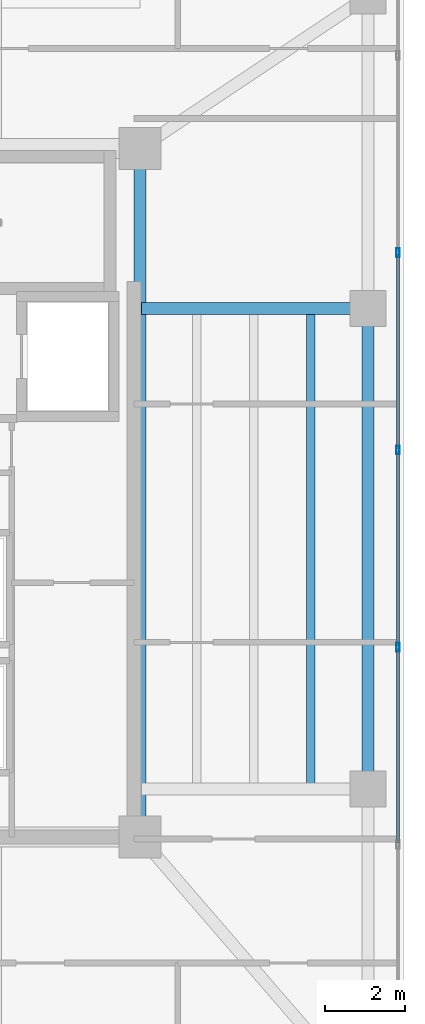
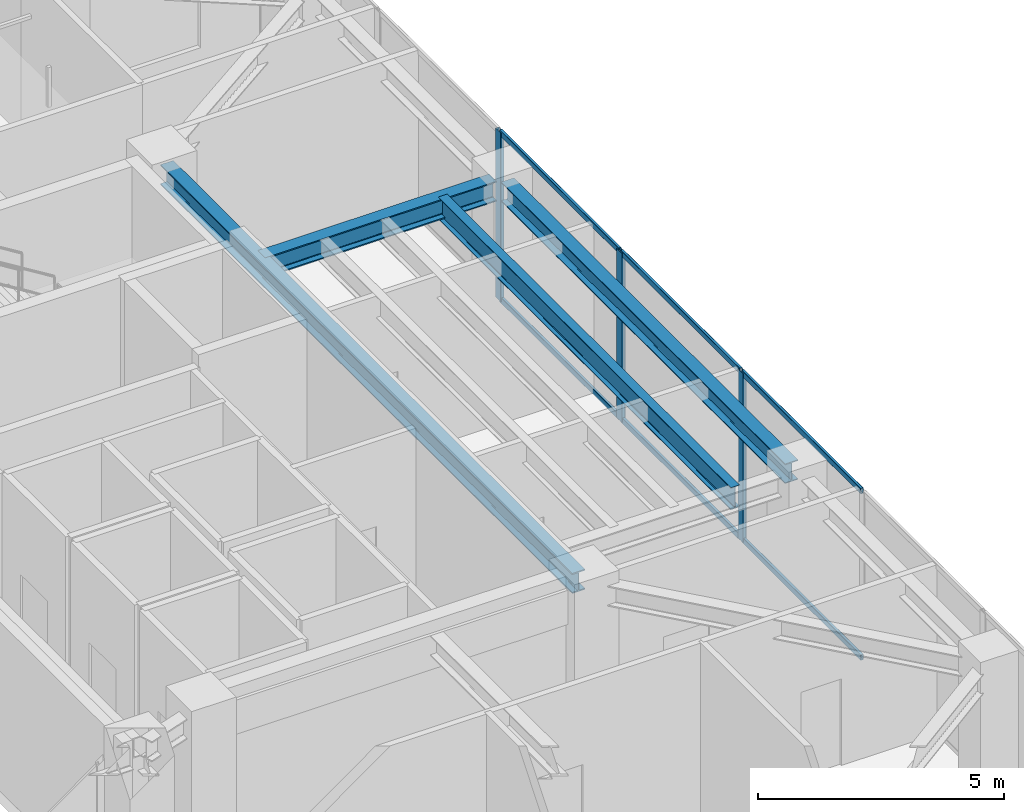
# One storey, part 16 of 33: 9 members, 4 beams, 1 element without a shape of its own.
"""IFC4 building model written with IfcOpenShell, lengths in metres."""

from ifc_helpers import new_model, si_unit, direction, frame, origin, origin_2d, place, context, subcontext, project, spatial, hollow_rectangle, i_section, extrude, material, layer, layer_set, material_profile, profile_set, type_object, element, aggregate, save


model = new_model("IFC4")

# Units and contexts
model_context = context("Model", 3, precision=1e-05, world=origin(), true_north=direction((0.0, 1.0)))
body_context = subcontext(model_context, "Body", "Model", "MODEL_VIEW")
ifc_project = project(units=[si_unit("LENGTHUNIT", "METRE"), si_unit("AREAUNIT", "SQUARE_METRE"), si_unit("VOLUMEUNIT", "CUBIC_METRE"), si_unit("PLANEANGLEUNIT", "RADIAN"), si_unit("MASSUNIT", "GRAM", prefix="KILO")], contexts=[model_context])

# Site, building, storey
site_placement = place(None, origin())
site = spatial("IfcSite", under=ifc_project, at=site_placement, CompositionType="ELEMENT")
building_placement = place(site_placement, origin())
building = spatial("IfcBuilding", under=site, at=building_placement, Name="Tarnavaz Court Tower", CompositionType="ELEMENT")
storey_placement = place(building_placement, frame((0.0, 0.0, 172.800048828125)))
storey = spatial("IfcBuildingStorey", under=building, at=storey_placement, Name="L47", CompositionType="ELEMENT", Elevation=172.800048828125)

# Beams
ifc_material_1 = material(Name="Steel S355", Category="steel")
ifc_material_profile_1 = material_profile(ifc_material_1, i_section(OverallWidth=0.300048828125, OverallDepth=0.5, WebThickness=0.014404296875, FlangeThickness=0.028076171875, FilletRadius=0.027099609375, at=origin_2d()), Name="HEB 500")
ifc_profile_set_1 = profile_set([ifc_material_profile_1], Name="Steel S355")
beam_type_1 = type_object("IfcBeamType", Name="BM-G-HEB500", PredefinedType="USERDEFINED", material=ifc_profile_set_1)
beam_1_placement = place(storey_placement, frame((18.60009765625, -6.97998046875, 3.949951171875), z_axis=(0.0, 1.0, 0.0), x_axis=(-1.0, 0.0, 0.0)))
element("IfcBeam", 1, at=beam_1_placement, inside=storey, type_object=beam_type_1, Name="L47 Beam IN-CE-SO-CE-NO", ObjectType="GIRDER", PredefinedType="USERDEFINED", context=body_context, shape_type="SweptSolid", body=[
    extrude(i_section(OverallWidth=0.300048828125, OverallDepth=0.5, WebThickness=0.014404296875, FlangeThickness=0.028076171875, FilletRadius=0.027099609375, at=origin_2d()), origin(), (0.0, 0.0, 1.0), 16.760009765625),
])
beam_2_placement = place(storey_placement, frame((18.639892578125, 6.0, 3.949951171875), z_axis=(1.0, 0.0, 0.0), x_axis=(0.0, 1.0, 0.0)))
element("IfcBeam", 2, at=beam_2_placement, inside=storey, type_object=beam_type_1, Name="L47 Beam RG-10", ObjectType="GIRDER", PredefinedType="USERDEFINED", context=body_context, shape_type="SweptSolid", body=[
    extrude(i_section(OverallWidth=0.300048828125, OverallDepth=0.5, WebThickness=0.014404296875, FlangeThickness=0.028076171875, FilletRadius=0.027099609375, at=origin_2d()), origin(), (0.0, 0.0, 1.0), 5.440185546875),
])
ifc_material_profile_2 = material_profile(ifc_material_1, i_section(OverallWidth=0.2099609375, OverallDepth=0.550048828125, WebThickness=0.010986328125, FlangeThickness=0.01708984375, FilletRadius=0.02392578125, at=origin_2d()), Name="IPE 550")
ifc_profile_set_2 = profile_set([ifc_material_profile_2], Name="Steel S355")
beam_type_2 = type_object("IfcBeamType", Name="BM-J-IPE550", PredefinedType="JOIST", material=ifc_profile_set_2)
beam_3_placement = place(storey_placement, frame((22.875, -5.9599609375, 3.925048828125), z_axis=(0.0, 1.0, 0.0), x_axis=(-1.0, 0.0, 0.0)))
element("IfcBeam", 3, at=beam_3_placement, inside=storey, type_object=beam_type_2, Name="L47 Beam JE3", PredefinedType="JOIST", context=body_context, shape_type="SweptSolid", body=[
    extrude(i_section(OverallWidth=0.2099609375, OverallDepth=0.550048828125, WebThickness=0.010986328125, FlangeThickness=0.01708984375, FilletRadius=0.02392578125, at=origin_2d()), origin(), (0.0, 0.0, 1.0), 11.919921875),
])
ifc_material_profile_3 = material_profile(ifc_material_1, i_section(OverallWidth=0.300048828125, OverallDepth=0.489990234375, WebThickness=0.011962890625, FlangeThickness=0.02294921875, FilletRadius=0.027099609375, at=origin_2d()), Name="HEA 500")
ifc_profile_set_3 = profile_set([ifc_material_profile_3], Name="Steel S355")
beam_type_3 = type_object("IfcBeamType", Name="BM-SP-HEA500", PredefinedType="SPANDREL", material=ifc_profile_set_3)
beam_4_placement = place(storey_placement, frame((24.300048828125, -5.780029296875, 3.954833984375), z_axis=(0.0, 1.0, 0.0), x_axis=(-1.0, 0.0, 0.0)))
element("IfcBeam", 4, at=beam_4_placement, inside=storey, type_object=beam_type_3, Name="L47 Beam PR-PE-2-PE-3", PredefinedType="SPANDREL", context=body_context, shape_type="SweptSolid", body=[
    extrude(i_section(OverallWidth=0.300048828125, OverallDepth=0.489990234375, WebThickness=0.011962890625, FlangeThickness=0.02294921875, FilletRadius=0.027099609375, at=origin_2d()), origin(), (0.0, 0.0, 1.0), 11.56005859375),
])

# Curtain wall, members
ifc_material_2 = material(Name="Anodised Aluminium 6063-T6 and Solar Low-E Glazing", Category="aluminium")
ifc_layer = layer(ifc_material_2, 0.199951171875)
ifc_layer_set = layer_set([ifc_layer], Name="Anodised Aluminium 6063-T6 and Solar Low-E Glazing")
curtain_wall_type = type_object("IfcCurtainWallType", Name="CW-SYS-05", PredefinedType="NOTDEFINED", material=ifc_layer_set)
curtain_wall_placement = place(storey_placement, origin())
curtain_wall = element("IfcCurtainWall", 5, at=curtain_wall_placement, inside=storey, type_object=curtain_wall_type, Name="L47 Sky-Portal Curtain Wall 12", PredefinedType="NOTDEFINED")
ifc_material_3 = material(Name="Anodised Aluminium 6063-T6", Category="aluminium")
ifc_material_profile_4 = material_profile(ifc_material_3, hollow_rectangle(XDim=0.0849609375, YDim=0.219970703125, WallThickness=0.006103515625, InnerFilletRadius=0.006103515625, OuterFilletRadius=0.011962890625, at=origin_2d()), Name="ALU RHS 220X85X6")
ifc_profile_set_4 = profile_set([ifc_material_profile_4], Name="Anodised Aluminium 6063-T6")
member_type_1 = type_object("IfcMemberType", Name="CW-MUL-220", PredefinedType="MULLION", material=ifc_profile_set_4)
member_1_placement = place(storey_placement, frame((25.050048828125, 7.392822265625, 0.0), z_axis=(0.0, 0.0, 1.0), x_axis=(1.0, 0.0, 0.0)))
member_1 = element("IfcMember", 6, at=member_1_placement, type_object=member_type_1, Name="CW mullion 3", PredefinedType="MULLION", context=body_context, shape_type="SweptSolid", body=[
    extrude(hollow_rectangle(XDim=0.0849609375, YDim=0.219970703125, WallThickness=0.006103515625, InnerFilletRadius=0.006103515625, OuterFilletRadius=0.011962890625, at=origin_2d()), origin(), (0.0, 0.0, 1.0), 4.199951171875),
])
member_2_placement = place(storey_placement, frame((25.050048828125, 2.46435546875, 0.0), z_axis=(0.0, 0.0, 1.0), x_axis=(1.0, 0.0, 0.0)))
member_2 = element("IfcMember", 7, at=member_2_placement, type_object=member_type_1, Name="CW mullion 4", PredefinedType="MULLION", context=body_context, shape_type="SweptSolid", body=[
    extrude(hollow_rectangle(XDim=0.0849609375, YDim=0.219970703125, WallThickness=0.006103515625, InnerFilletRadius=0.006103515625, OuterFilletRadius=0.011962890625, at=origin_2d()), origin(), (0.0, 0.0, 1.0), 4.199951171875),
])
member_3_placement = place(storey_placement, frame((25.050048828125, -2.46435546875, 0.0), z_axis=(0.0, 0.0, 1.0), x_axis=(1.0, 0.0, 0.0)))
member_3 = element("IfcMember", 8, at=member_3_placement, type_object=member_type_1, Name="CW mullion 5", PredefinedType="MULLION", context=body_context, shape_type="SweptSolid", body=[
    extrude(hollow_rectangle(XDim=0.0849609375, YDim=0.219970703125, WallThickness=0.006103515625, InnerFilletRadius=0.006103515625, OuterFilletRadius=0.011962890625, at=origin_2d()), origin(), (0.0, 0.0, 1.0), 4.199951171875),
])
ifc_material_profile_5 = material_profile(ifc_material_3, hollow_rectangle(XDim=0.06494140625, YDim=0.139892578125, WallThickness=0.00390625, InnerFilletRadius=0.00390625, OuterFilletRadius=0.008056640625, at=origin_2d()), Name="ALU RHS 140X65X4")
ifc_profile_set_5 = profile_set([ifc_material_profile_5], Name="Anodised Aluminium 6063-T6")
member_type_2 = type_object("IfcMemberType", Name="CW-TRN-140", PredefinedType="USERDEFINED", material=ifc_profile_set_5)
member_4_placement = place(storey_placement, frame((25.050048828125, 7.350341796875, 0.032470703125), z_axis=(0.0, -1.0, 0.0), x_axis=(1.0, 0.0, 0.0)))
member_4 = element("IfcMember", 9, at=member_4_placement, type_object=member_type_2, Name="CW transom 3.1", ObjectType="TRANSOM", PredefinedType="USERDEFINED", context=body_context, shape_type="SweptSolid", body=[
    extrude(hollow_rectangle(XDim=0.06494140625, YDim=0.139892578125, WallThickness=0.00390625, InnerFilletRadius=0.00390625, OuterFilletRadius=0.008056640625, at=origin_2d()), origin(), (0.0, 0.0, 1.0), 4.843505859375),
])
member_5_placement = place(storey_placement, frame((25.050048828125, 7.350341796875, 4.16748046875), z_axis=(0.0, -1.0, 0.0), x_axis=(1.0, 0.0, 0.0)))
member_5 = element("IfcMember", 10, at=member_5_placement, type_object=member_type_2, Name="CW transom 3.2", ObjectType="TRANSOM", PredefinedType="USERDEFINED", context=body_context, shape_type="SweptSolid", body=[
    extrude(hollow_rectangle(XDim=0.06494140625, YDim=0.139892578125, WallThickness=0.00390625, InnerFilletRadius=0.00390625, OuterFilletRadius=0.008056640625, at=origin_2d()), origin(), (0.0, 0.0, 1.0), 4.843505859375),
])
member_6_placement = place(storey_placement, frame((25.050048828125, 2.421875, 0.032470703125), z_axis=(0.0, -1.0, 0.0), x_axis=(1.0, 0.0, 0.0)))
member_6 = element("IfcMember", 11, at=member_6_placement, type_object=member_type_2, Name="CW transom 4.1", ObjectType="TRANSOM", PredefinedType="USERDEFINED", context=body_context, shape_type="SweptSolid", body=[
    extrude(hollow_rectangle(XDim=0.06494140625, YDim=0.139892578125, WallThickness=0.00390625, InnerFilletRadius=0.00390625, OuterFilletRadius=0.008056640625, at=origin_2d()), origin(), (0.0, 0.0, 1.0), 4.84375),
])
member_7_placement = place(storey_placement, frame((25.050048828125, 2.421875, 4.16748046875), z_axis=(0.0, -1.0, 0.0), x_axis=(1.0, 0.0, 0.0)))
member_7 = element("IfcMember", 12, at=member_7_placement, type_object=member_type_2, Name="CW transom 4.2", ObjectType="TRANSOM", PredefinedType="USERDEFINED", context=body_context, shape_type="SweptSolid", body=[
    extrude(hollow_rectangle(XDim=0.06494140625, YDim=0.139892578125, WallThickness=0.00390625, InnerFilletRadius=0.00390625, OuterFilletRadius=0.008056640625, at=origin_2d()), origin(), (0.0, 0.0, 1.0), 4.84375),
])
member_8_placement = place(storey_placement, frame((25.050048828125, -2.5068359375, 0.032470703125), z_axis=(0.0, -1.0, 0.0), x_axis=(1.0, 0.0, 0.0)))
member_8 = element("IfcMember", 13, at=member_8_placement, type_object=member_type_2, Name="CW transom 5.1", ObjectType="TRANSOM", PredefinedType="USERDEFINED", context=body_context, shape_type="SweptSolid", body=[
    extrude(hollow_rectangle(XDim=0.06494140625, YDim=0.139892578125, WallThickness=0.00390625, InnerFilletRadius=0.00390625, OuterFilletRadius=0.008056640625, at=origin_2d()), origin(), (0.0, 0.0, 1.0), 4.843505859375),
])
member_9_placement = place(storey_placement, frame((25.050048828125, -2.5068359375, 4.16748046875), z_axis=(0.0, -1.0, 0.0), x_axis=(1.0, 0.0, 0.0)))
member_9 = element("IfcMember", 14, at=member_9_placement, type_object=member_type_2, Name="CW transom 5.2", ObjectType="TRANSOM", PredefinedType="USERDEFINED", context=body_context, shape_type="SweptSolid", body=[
    extrude(hollow_rectangle(XDim=0.06494140625, YDim=0.139892578125, WallThickness=0.00390625, InnerFilletRadius=0.00390625, OuterFilletRadius=0.008056640625, at=origin_2d()), origin(), (0.0, 0.0, 1.0), 4.843505859375),
])
aggregate(curtain_wall, [member_1, member_2, member_3, member_4, member_5, member_6, member_7, member_8, member_9])

save(model, "model.ifc")
